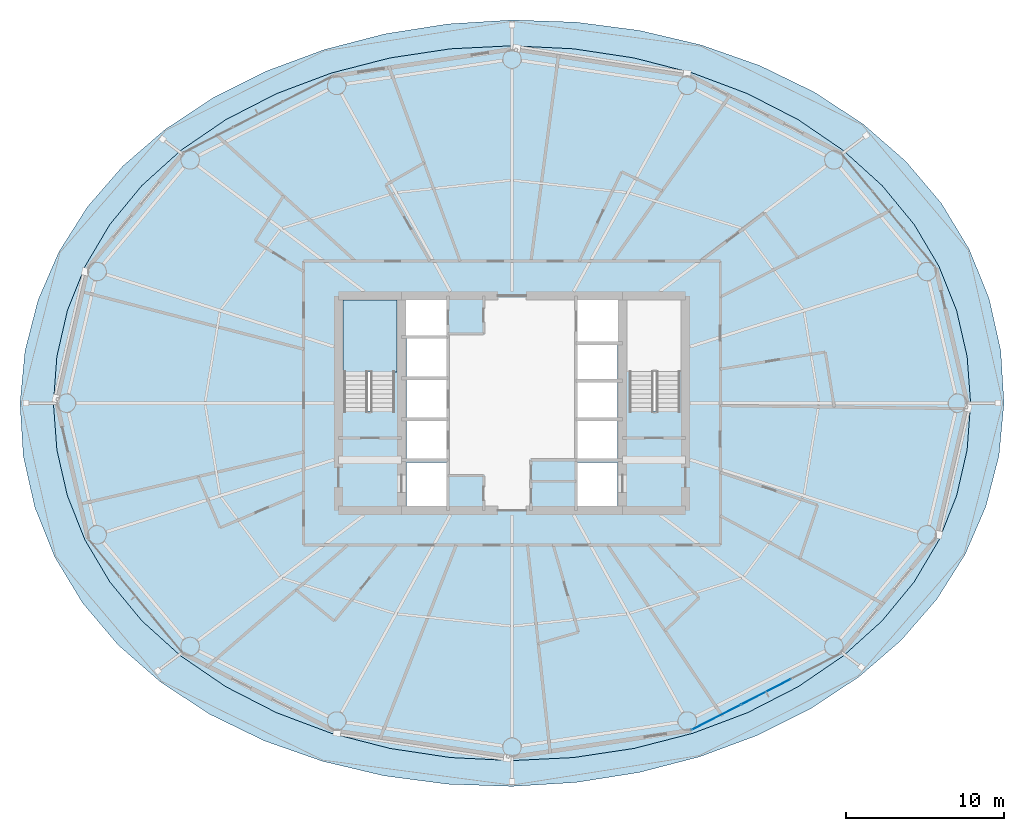
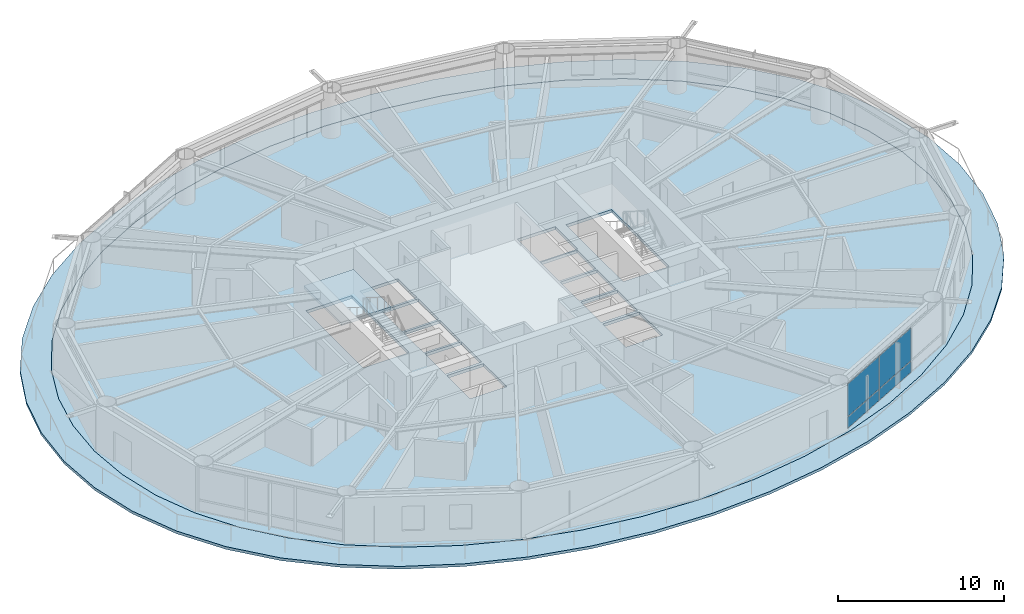
# One storey, part 15 of 24: 4 plates, 3 slabs, 2 elements without a shape of their own.
"""IFC4 building model written with IfcOpenShell, lengths in metres."""

from ifc_helpers import new_model, si_unit, direction, frame, origin, origin_2d, place, context, subcontext, project, spatial, polyline, rectangle, outline, extrude, material, layer, layer_set, type_object, element, aggregate, save


model = new_model("IFC4")

# Units and contexts
model_context = context("Model", 3, precision=1e-05, world=origin(), true_north=direction((0.0, 1.0)))
body_context = subcontext(model_context, "Body", "Model", "MODEL_VIEW")
ifc_project = project(units=[si_unit("LENGTHUNIT", "METRE"), si_unit("AREAUNIT", "SQUARE_METRE"), si_unit("VOLUMEUNIT", "CUBIC_METRE"), si_unit("PLANEANGLEUNIT", "RADIAN"), si_unit("MASSUNIT", "GRAM", prefix="KILO")], contexts=[model_context])

# Site, building, storey
site_placement = place(None, origin())
site = spatial("IfcSite", under=ifc_project, at=site_placement, CompositionType="ELEMENT")
building_placement = place(site_placement, origin())
building = spatial("IfcBuilding", under=site, at=building_placement, Name="Sarneth Arch Tower", CompositionType="ELEMENT")
storey_placement = place(building_placement, frame((0.0, 0.0, 105.60009765625)))
storey = spatial("IfcBuildingStorey", under=building, at=storey_placement, Name="L26", CompositionType="ELEMENT", Elevation=105.60009765625)

# Curtain wall, plates
ifc_material_1 = material(Name="Anodised aluminium Type AA25 and solar-control low-e laminated IGU", Category="aluminium")
ifc_layer_1 = layer(ifc_material_1, 0.159912109375)
ifc_layer_set_1 = layer_set([ifc_layer_1], Name="Anodised aluminium Type AA25 and solar-control low-e laminated IGU")
curtain_wall_type = type_object("IfcCurtainWallType", Name="CW-HOTEL-MID", PredefinedType="NOTDEFINED", material=ifc_layer_set_1)
curtain_wall_placement = place(storey_placement, origin())
curtain_wall = element("IfcCurtainWall", 1, at=curtain_wall_placement, inside=storey, type_object=curtain_wall_type, Name="L26 Unitised curtain wall facet 14", PredefinedType="NOTDEFINED")
ifc_material_2 = material(Name="Solar-control low-e laminated IGU", Category="glass")
ifc_layer_2 = layer(ifc_material_2, 0.028076171875)
ifc_layer_set_2 = layer_set([ifc_layer_2], Name="Solar-control low-e laminated IGU")
plate_type = type_object("IfcPlateType", Name="CW-PANEL", PredefinedType="CURTAIN_PANEL", material=ifc_layer_set_2)
plate_1_placement = place(storey_placement, frame((60.946044921875, 22.094482421875, 0.059814453125), z_axis=(0.0, 0.0, 1.0), x_axis=(0.889963703649, 0.456031365356, 0.0)))
plate_1 = element("IfcPlate", 2, at=plate_1_placement, type_object=plate_type, Name="Curtain wall glazed vision pane CW-L26-F14/P00-00", PredefinedType="CURTAIN_PANEL", context=body_context, shape_type="SweptSolid", body=[
    extrude(rectangle(XDim=3.464111328125, YDim=0.028076171875, at=origin_2d()), origin(), (0.0, 0.0, 1.0), 0.81005859375),
])
plate_2_placement = place(storey_placement, frame((60.946044921875, 22.094482421875, 0.93017578125), z_axis=(0.0, 0.0, 1.0), x_axis=(0.889963703649, 0.456031365356, 0.0)))
plate_2 = element("IfcPlate", 3, at=plate_2_placement, type_object=plate_type, Name="Curtain wall glazed vision pane CW-L26-F14/P00-01", PredefinedType="CURTAIN_PANEL", context=body_context, shape_type="SweptSolid", body=[
    extrude(rectangle(XDim=3.464111328125, YDim=0.028076171875, at=origin_2d()), origin(), (0.0, 0.0, 1.0), 2.389892578125),
])
plate_3_placement = place(storey_placement, frame((64.095703125, 23.70849609375, 0.059814453125), z_axis=(0.0, 0.0, 1.0), x_axis=(0.889963703649, 0.456031365356, 0.0)))
plate_3 = element("IfcPlate", 4, at=plate_3_placement, type_object=plate_type, Name="Curtain wall glazed vision pane CW-L26-F14/P01-00", PredefinedType="CURTAIN_PANEL", context=body_context, shape_type="SweptSolid", body=[
    extrude(rectangle(XDim=3.493896484375, YDim=0.028076171875, at=origin_2d()), origin(), (0.0, 0.0, 1.0), 0.81005859375),
])
plate_4_placement = place(storey_placement, frame((64.095703125, 23.70849609375, 0.93017578125), z_axis=(0.0, 0.0, 1.0), x_axis=(0.889963703649, 0.456031365356, 0.0)))
plate_4 = element("IfcPlate", 5, at=plate_4_placement, type_object=plate_type, Name="Curtain wall glazed vision pane CW-L26-F14/P01-01", PredefinedType="CURTAIN_PANEL", context=body_context, shape_type="SweptSolid", body=[
    extrude(rectangle(XDim=3.493896484375, YDim=0.028076171875, at=origin_2d()), origin(), (0.0, 0.0, 1.0), 2.389892578125),
])
aggregate(curtain_wall, [plate_1, plate_2, plate_3, plate_4])

# Slab
ifc_material_3 = material(Name="Concrete C50/60", Category="concrete")
ifc_layer_3 = layer(ifc_material_3, 0.199951171875)
ifc_layer_set_3 = layer_set([ifc_layer_3], Name="Concrete C50/60")
slab_type_1 = type_object("IfcSlabType", Name="SLAB-BALC-200", PredefinedType="FLOOR", material=ifc_layer_set_3)
slab_1_placement = place(storey_placement, frame((0.0, 0.0, -0.2001953125)))
element("IfcSlab", 6, at=slab_1_placement, inside=storey, type_object=slab_type_1, Name="L26 Helical balcony band slab", PredefinedType="FLOOR", context=body_context, shape_type="SweptSolid", body=[
    extrude(outline(polyline([(79.17919921875, 42.0), (78.97314453125, 45.337158203125), (78.23876953125, 48.609619140625), (76.981201171875, 51.73974609375), (75.213134765625, 54.662109375), (72.958251953125, 57.3251953125), (70.25244140625, 59.688232421875), (67.1455078125, 61.7197265625), (63.701171875, 63.395751953125), (59.9912109375, 64.69873046875), (56.090576171875, 65.617431640625), (52.0712890625, 66.145751953125), (48.0, 66.283447265625), (43.93994140625, 66.033935546875), (39.95263671875, 65.404296875), (36.100830078125, 64.4052734375), (32.44970703125, 63.050537109375), (29.06494140625, 61.356201171875), (26.009033203125, 59.340576171875), (23.335205078125, 57.0244140625), (21.084716796875, 54.431640625), (19.287353515625, 51.58984375), (17.965576171875, 48.53564453125), (17.1376953125, 45.317138671875), (16.82080078125, 42.0), (17.02685546875, 38.662841796875), (17.76123046875, 35.390380859375), (19.018798828125, 32.26025390625), (20.786865234375, 29.337890625), (23.041748046875, 26.6748046875), (25.74755859375, 24.311767578125), (28.8544921875, 22.2802734375), (32.298828125, 20.604248046875), (36.0087890625, 19.30126953125), (39.909423828125, 18.382568359375), (43.9287109375, 17.854248046875), (48.0, 17.716552734375), (52.06005859375, 17.966064453125), (56.04736328125, 18.595703125), (59.899169921875, 19.5947265625), (63.55029296875, 20.949462890625), (66.93505859375, 22.643798828125), (69.990966796875, 24.659423828125), (72.664794921875, 26.9755859375), (74.915283203125, 29.568359375), (76.712646484375, 32.41015625), (78.034423828125, 35.46435546875), (78.8623046875, 38.682861328125), (79.17919921875, 42.0)]), holes=[polyline([(77.062744140625, 42.0), (76.84228515625, 44.956298828125), (76.17724609375, 47.8623046875), (75.060546875, 50.667724609375), (73.486328125, 53.324951171875), (71.458251953125, 55.788330078125), (68.994384765625, 58.015869140625), (66.132080078125, 59.969482421875), (62.923828125, 61.615478515625), (59.435302734375, 62.92578125), (55.73779296875, 63.878173828125), (51.902587890625, 64.456298828125), (48.0, 64.64990234375), (44.097412109375, 64.456298828125), (40.26220703125, 63.878173828125), (36.564697265625, 62.92578125), (33.076171875, 61.615478515625), (29.867919921875, 59.969482421875), (27.005615234375, 58.015869140625), (24.541748046875, 55.788330078125), (22.513671875, 53.324951171875), (20.939453125, 50.667724609375), (19.82275390625, 47.8623046875), (19.15771484375, 44.956298828125), (18.937255859375, 42.0), (19.15771484375, 39.043701171875), (19.82275390625, 36.1376953125), (20.939453125, 33.332275390625), (22.513671875, 30.675048828125), (24.541748046875, 28.211669921875), (27.005615234375, 25.984130859375), (29.867919921875, 24.030517578125), (33.076171875, 22.384521484375), (36.564697265625, 21.07421875), (40.26220703125, 20.121826171875), (44.097412109375, 19.543701171875), (48.0, 19.35009765625), (51.902587890625, 19.543701171875), (55.73779296875, 20.121826171875), (59.435302734375, 21.07421875), (62.923828125, 22.384521484375), (66.132080078125, 24.030517578125), (68.994384765625, 25.984130859375), (71.458251953125, 28.211669921875), (73.486328125, 30.675048828125), (75.060546875, 33.332275390625), (76.17724609375, 36.1376953125), (76.84228515625, 39.043701171875), (77.062744140625, 42.0)])]), origin(), (0.0, 0.0, 1.0), 0.2001953125),
])

# Stair, slab
ifc_material_4 = material(Name="Concrete C50/60", Category="concrete")
stair_type = type_object("IfcStairType", Name="STAIR-CORE-RC", PredefinedType="HALF_TURN_STAIR", material=ifc_material_4)
stair_placement = place(storey_placement, origin())
stair = element("IfcStair", 7, at=stair_placement, inside=storey, type_object=stair_type, Name="L26 Core Exit Stair 1", PredefinedType="HALF_TURN_STAIR")
ifc_material_5 = material(Name="Concrete C50/60", Category="concrete")
ifc_layer_4 = layer(ifc_material_5, 0.199951171875)
ifc_layer_set_4 = layer_set([ifc_layer_4], Name="Concrete C50/60")
slab_type_2 = type_object("IfcSlabType", Name="SLAB-LANDING-200", PredefinedType="LANDING", material=ifc_layer_set_4)
slab_2_placement = place(storey_placement, frame((0.0, 0.0, 1.599853515625)))
slab_2 = element("IfcSlab", 8, at=slab_2_placement, type_object=slab_type_2, Name="ST-1 landing 1", PredefinedType="LANDING", context=body_context, shape_type="SweptSolid", body=[
    extrude(outline(polyline([(37.27490234375, 43.985107421875), (40.72509765625, 43.985107421875), (40.72509765625, 48.52490234375), (37.27490234375, 48.52490234375), (37.27490234375, 43.985107421875)])), origin(), (0.0, 0.0, 1.0), 0.199951171875),
])
aggregate(stair, [slab_2])

# Slab
ifc_material_6 = material(Name="Concrete C50/60", Category="concrete")
ifc_layer_5 = layer(ifc_material_6, 0.219970703125)
ifc_layer_set_5 = layer_set([ifc_layer_5], Name="Concrete C50/60")
slab_type_3 = type_object("IfcSlabType", Name="SLAB-TOWER-220", PredefinedType="FLOOR", material=ifc_layer_set_5)
slab_3_placement = place(storey_placement, frame((0.0, 0.0, -0.22021484375)))
element("IfcSlab", 9, at=slab_3_placement, inside=storey, type_object=slab_type_3, Name="L26 Elliptical floor slab", PredefinedType="FLOOR", context=body_context, shape_type="SweptSolid", body=[
    extrude(outline(polyline([(77.062744140625, 42.0), (76.84228515625, 44.956298828125), (76.17724609375, 47.8623046875), (75.060546875, 50.667724609375), (73.486328125, 53.324951171875), (71.458251953125, 55.788330078125), (68.994384765625, 58.015869140625), (66.132080078125, 59.969482421875), (62.923828125, 61.615478515625), (59.435302734375, 62.92578125), (55.73779296875, 63.878173828125), (51.902587890625, 64.456298828125), (48.0, 64.64990234375), (44.097412109375, 64.456298828125), (40.26220703125, 63.878173828125), (36.564697265625, 62.92578125), (33.076171875, 61.615478515625), (29.867919921875, 59.969482421875), (27.005615234375, 58.015869140625), (24.541748046875, 55.788330078125), (22.513671875, 53.324951171875), (20.939453125, 50.667724609375), (19.82275390625, 47.8623046875), (19.15771484375, 44.956298828125), (18.937255859375, 42.0), (19.15771484375, 39.043701171875), (19.82275390625, 36.1376953125), (20.939453125, 33.332275390625), (22.513671875, 30.675048828125), (24.541748046875, 28.211669921875), (27.005615234375, 25.984130859375), (29.867919921875, 24.030517578125), (33.076171875, 22.384521484375), (36.564697265625, 21.07421875), (40.26220703125, 20.121826171875), (44.097412109375, 19.543701171875), (48.0, 19.35009765625), (51.902587890625, 19.543701171875), (55.73779296875, 20.121826171875), (59.435302734375, 21.07421875), (62.923828125, 22.384521484375), (66.132080078125, 24.030517578125), (68.994384765625, 25.984130859375), (71.458251953125, 28.211669921875), (73.486328125, 30.675048828125), (75.060546875, 33.332275390625), (76.17724609375, 36.1376953125), (76.84228515625, 39.043701171875), (77.062744140625, 42.0)]), holes=[polyline([(37.35009765625, 41.489990234375), (40.550048828125, 41.489990234375), (40.550048828125, 48.39990234375), (37.35009765625, 48.39990234375), (37.35009765625, 41.489990234375)]), polyline([(55.449951171875, 41.489990234375), (58.64990234375, 41.489990234375), (58.64990234375, 48.39990234375), (55.449951171875, 48.39990234375), (55.449951171875, 41.489990234375)]), polyline([(41.199951171875, 46.25), (43.85009765625, 46.25), (43.85009765625, 48.550048828125), (41.199951171875, 48.550048828125), (41.199951171875, 46.25)]), polyline([(41.300048828125, 35.449951171875), (43.85009765625, 35.449951171875), (43.85009765625, 38.25), (41.300048828125, 38.25), (41.300048828125, 35.449951171875)]), polyline([(52.14990234375, 35.449951171875), (54.699951171875, 35.449951171875), (54.699951171875, 38.25), (52.14990234375, 38.25), (52.14990234375, 35.449951171875)]), polyline([(52.14990234375, 45.85009765625), (54.800048828125, 45.85009765625), (54.800048828125, 48.550048828125), (52.14990234375, 48.550048828125), (52.14990234375, 45.85009765625)]), polyline([(41.300048828125, 38.449951171875), (43.85009765625, 38.449951171875), (43.85009765625, 40.89990234375), (41.300048828125, 40.89990234375), (41.300048828125, 38.449951171875)]), polyline([(41.300048828125, 41.050048828125), (43.85009765625, 41.050048828125), (43.85009765625, 43.5), (41.300048828125, 43.5), (41.300048828125, 41.050048828125)]), polyline([(41.300048828125, 43.64990234375), (43.85009765625, 43.64990234375), (43.85009765625, 46.10009765625), (41.300048828125, 46.10009765625), (41.300048828125, 43.64990234375)]), polyline([(52.14990234375, 38.449951171875), (54.699951171875, 38.449951171875), (54.699951171875, 40.89990234375), (52.14990234375, 40.89990234375), (52.14990234375, 38.449951171875)]), polyline([(52.14990234375, 41.050048828125), (54.699951171875, 41.050048828125), (54.699951171875, 43.35009765625), (52.14990234375, 43.35009765625), (52.14990234375, 41.050048828125)]), polyline([(52.14990234375, 43.5), (54.699951171875, 43.5), (54.699951171875, 45.75), (52.14990234375, 45.75), (52.14990234375, 43.5)])]), origin(), (0.0, 0.0, 1.0), 0.22021484375),
])

save(model, "model.ifc")
